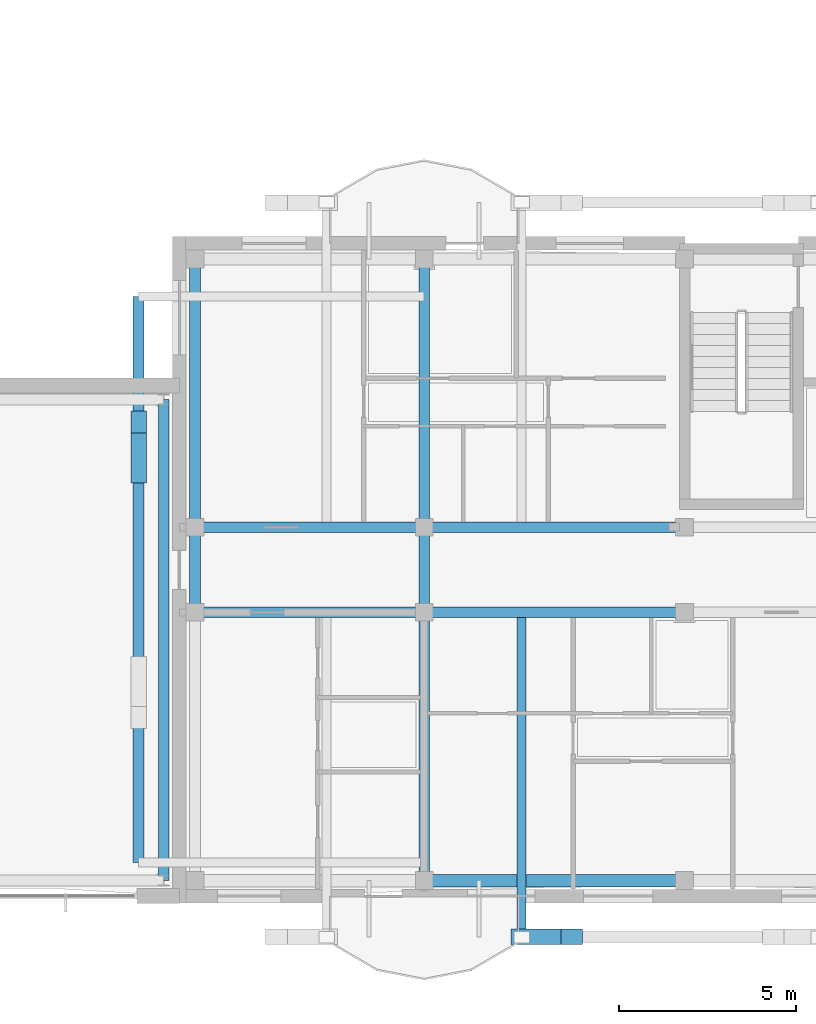
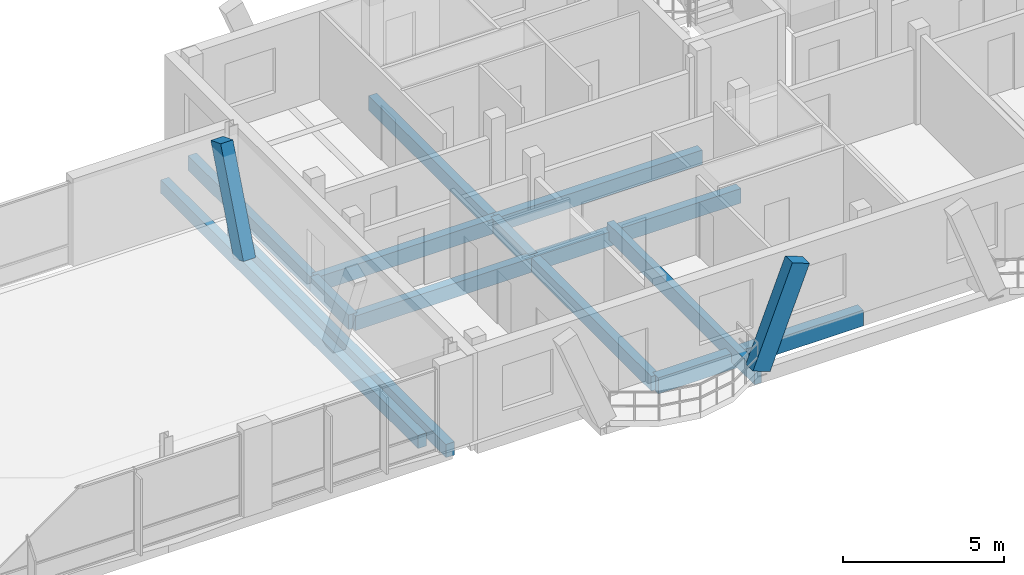
# One storey, part 58 of 189: 13 beams, 2 members.
"""IFC4 building model written with IfcOpenShell, lengths in metres."""

from ifc_helpers import new_model, si_unit, direction, frame, origin, origin_2d, place, context, subcontext, project, spatial, rectangle, extrude, material, material_profile, profile_set, type_object, element, save


model = new_model("IFC4")

# Units and contexts
model_context = context("Model", 3, precision=1e-05, world=origin(), true_north=direction((0.0, 1.0)))
body_context = subcontext(model_context, "Body", "Model", "MODEL_VIEW")
ifc_project = project(units=[si_unit("LENGTHUNIT", "METRE"), si_unit("AREAUNIT", "SQUARE_METRE"), si_unit("VOLUMEUNIT", "CUBIC_METRE"), si_unit("PLANEANGLEUNIT", "RADIAN"), si_unit("MASSUNIT", "GRAM", prefix="KILO")], contexts=[model_context])

# Site, building, storey
site_placement = place(None, origin())
site = spatial("IfcSite", under=ifc_project, at=site_placement, CompositionType="ELEMENT")
building_placement = place(site_placement, origin())
building = spatial("IfcBuilding", under=site, at=building_placement, Name="Zavelmont Quarter", CompositionType="ELEMENT")
storey_placement = place(building_placement, frame((0.0, 0.0, 4.39990234375)))
storey = spatial("IfcBuildingStorey", under=building, at=storey_placement, Name="L01", CompositionType="ELEMENT", Elevation=4.39990234375)

# Beams
ifc_material_1 = material(Name="Concrete C35/45", Category="concrete")
ifc_material_profile_1 = material_profile(ifc_material_1, rectangle(XDim=0.35009765625, YDim=0.60009765625, at=origin_2d()), Name="RC350X600")
ifc_profile_set_1 = profile_set([ifc_material_profile_1], Name="Concrete C35/45")
beam_type_1 = type_object("IfcBeamType", Name="BM01", PredefinedType="SPANDREL", material=ifc_profile_set_1)
beam_1_placement = place(storey_placement, frame((119.699951171875, 0.43994140625, -0.579833984375), z_axis=(1.0, 0.0, 0.0), x_axis=(0.0, 1.0, 0.0)))
element("IfcBeam", 1, at=beam_1_placement, inside=storey, type_object=beam_type_1, Name="L01 beam BM01 18/A to 19/A", PredefinedType="SPANDREL", context=body_context, shape_type="SweptSolid", body=[
    extrude(rectangle(XDim=0.35009765625, YDim=0.60009765625, at=origin_2d()), origin(), (0.0, 0.0, 1.0), 7.340087890625),
])
ifc_material_profile_2 = material_profile(ifc_material_1, rectangle(XDim=0.300048828125, YDim=0.550048828125, at=origin_2d()), Name="RC300X550")
ifc_profile_set_2 = profile_set([ifc_material_profile_2], Name="Concrete C35/45")
beam_type_2 = type_object("IfcBeamType", Name="BM02", PredefinedType="SPANDREL", material=ifc_profile_set_2)
beam_2_placement = place(storey_placement, frame((113.239990234375, 8.0, -0.554931640625), z_axis=(1.0, 0.0, 0.0), x_axis=(0.0, 1.0, 0.0)))
element("IfcBeam", 2, at=beam_2_placement, inside=storey, type_object=beam_type_2, Name="L01 beam BM02 17/B to 18/B", PredefinedType="SPANDREL", context=body_context, shape_type="SweptSolid", body=[
    extrude(rectangle(XDim=0.300048828125, YDim=0.550048828125, at=origin_2d()), origin(), (0.0, 0.0, 1.0), 6.4599609375),
])
beam_3_placement = place(storey_placement, frame((119.699951171875, 8.0, -0.554931640625), z_axis=(1.0, 0.0, 0.0), x_axis=(0.0, 1.0, 0.0)))
element("IfcBeam", 3, at=beam_3_placement, inside=storey, type_object=beam_type_2, Name="L01 beam BM02 18/B to 19/B", PredefinedType="SPANDREL", context=body_context, shape_type="SweptSolid", body=[
    extrude(rectangle(XDim=0.300048828125, YDim=0.550048828125, at=origin_2d()), origin(), (0.0, 0.0, 1.0), 7.340087890625),
])
beam_4_placement = place(storey_placement, frame((113.239990234375, 10.39990234375, -0.554931640625), z_axis=(1.0, 0.0, 0.0), x_axis=(0.0, 1.0, 0.0)))
element("IfcBeam", 4, at=beam_4_placement, inside=storey, type_object=beam_type_2, Name="L01 beam BM02 17/C to 18/C", PredefinedType="SPANDREL", context=body_context, shape_type="SweptSolid", body=[
    extrude(rectangle(XDim=0.300048828125, YDim=0.550048828125, at=origin_2d()), origin(), (0.0, 0.0, 1.0), 6.4599609375),
])
beam_5_placement = place(storey_placement, frame((119.699951171875, 10.39990234375, -0.554931640625), z_axis=(1.0, 0.0, 0.0), x_axis=(0.0, 1.0, 0.0)))
element("IfcBeam", 5, at=beam_5_placement, inside=storey, type_object=beam_type_2, Name="L01 beam BM02 18/C to 19/C", PredefinedType="SPANDREL", context=body_context, shape_type="SweptSolid", body=[
    extrude(rectangle(XDim=0.300048828125, YDim=0.550048828125, at=origin_2d()), origin(), (0.0, 0.0, 1.0), 7.340087890625),
])
beam_6_placement = place(storey_placement, frame((113.239990234375, 8.0, -0.554931640625), z_axis=(0.0, 1.0, 0.0), x_axis=(-1.0, 0.0, 0.0)))
element("IfcBeam", 6, at=beam_6_placement, inside=storey, type_object=beam_type_2, Name="L01 beam BM02 17/B to 17/C", PredefinedType="SPANDREL", context=body_context, shape_type="SweptSolid", body=[
    extrude(rectangle(XDim=0.300048828125, YDim=0.550048828125, at=origin_2d()), origin(), (0.0, 0.0, 1.0), 2.39990234375),
])
for number, where, z_axis, x_axis, name in (
    (7, (113.239990234375, 10.39990234375, -0.554931640625), (0.0, 1.0, 0.0), (-1.0, 0.0, 0.0), "L01 beam BM02 17/C to 17/D"),
    (8, (119.699951171875, 0.43994140625, -0.554931640625), (0.0, 1.0, 0.0), (-1.0, 0.0, 0.0), "L01 beam BM02 18/A to 18/B"),
):
    element("IfcBeam", number, at=place(storey_placement, frame(where, z_axis=z_axis, x_axis=x_axis)), inside=storey, type_object=beam_type_2, Name=name, PredefinedType="SPANDREL", context=body_context, shape_type="SweptSolid", body=[
        extrude(rectangle(XDim=0.300048828125, YDim=0.550048828125, at=origin_2d()), origin(), (0.0, 0.0, 1.0), 7.56005859375),
    ])
beam_7_placement = place(storey_placement, frame((119.699951171875, 8.0, -0.554931640625), z_axis=(0.0, 1.0, 0.0), x_axis=(-1.0, 0.0, 0.0)))
element("IfcBeam", 9, at=beam_7_placement, inside=storey, type_object=beam_type_2, Name="L01 beam BM02 18/B to 18/C", PredefinedType="SPANDREL", context=body_context, shape_type="SweptSolid", body=[
    extrude(rectangle(XDim=0.300048828125, YDim=0.550048828125, at=origin_2d()), origin(), (0.0, 0.0, 1.0), 2.39990234375),
])
beam_8_placement = place(storey_placement, frame((119.699951171875, 10.39990234375, -0.554931640625), z_axis=(0.0, 1.0, 0.0), x_axis=(-1.0, 0.0, 0.0)))
element("IfcBeam", 10, at=beam_8_placement, inside=storey, type_object=beam_type_2, Name="L01 beam BM02 18/C to 18/D", PredefinedType="SPANDREL", context=body_context, shape_type="SweptSolid", body=[
    extrude(rectangle(XDim=0.300048828125, YDim=0.550048828125, at=origin_2d()), origin(), (0.0, 0.0, 1.0), 7.56005859375),
])
ifc_material_profile_3 = material_profile(ifc_material_1, rectangle(XDim=0.300048828125, YDim=0.5, at=origin_2d()), Name="RC300X500")
ifc_profile_set_3 = profile_set([ifc_material_profile_3], Name="Concrete C35/45")
beam_type_3 = type_object("IfcBeamType", Name="BM03", PredefinedType="BEAM", material=ifc_profile_set_3)
beam_9_placement = place(storey_placement, frame((112.360107421875, 0.43994140625, -0.52978515625), z_axis=(0.0, 1.0, 0.0), x_axis=(-1.0, 0.0, 0.0)))
element("IfcBeam", 11, at=beam_9_placement, inside=storey, type_object=beam_type_3, Name="L01 beam BM03 17/A to 17/C", PredefinedType="BEAM", context=body_context, shape_type="SweptSolid", body=[
    extrude(rectangle(XDim=0.300048828125, YDim=0.5, at=origin_2d()), origin(), (0.0, 0.0, 1.0), 13.56005859375),
])
beam_10_placement = place(storey_placement, frame((111.64990234375, 0.949951171875, -0.25), z_axis=(0.0, 1.0, 0.0), x_axis=(-1.0, 0.0, 0.0)))
element("IfcBeam", 12, at=beam_10_placement, inside=storey, type_object=beam_type_3, Name="L01 beam BM03 17/A to 17/D", PredefinedType="BEAM", context=body_context, shape_type="SweptSolid", body=[
    extrude(rectangle(XDim=0.300048828125, YDim=0.5, at=origin_2d()), origin(), (0.0, 0.0, 1.0), 15.949951171875),
])
ifc_material_2 = material(Name="Concrete C40/50", Category="concrete")
ifc_material_profile_4 = material_profile(ifc_material_2, rectangle(XDim=0.25, YDim=0.60009765625, at=origin_2d()), Name="RC250X600")
ifc_profile_set_4 = profile_set([ifc_material_profile_4], Name="Concrete C40/50")
beam_type_4 = type_object("IfcBeamType", Name="BM18", PredefinedType="BEAM", material=ifc_profile_set_4)
beam_11_placement = place(storey_placement, frame((122.449951171875, 8.0, -0.2998046875), z_axis=(0.0, -1.0, 0.0), x_axis=(1.0, 0.0, 0.0)))
element("IfcBeam", 13, at=beam_11_placement, inside=storey, type_object=beam_type_4, Name="L01 beam BM18 18/B to 18/A", PredefinedType="BEAM", context=body_context, shape_type="SweptSolid", body=[
    extrude(rectangle(XDim=0.25, YDim=0.60009765625, at=origin_2d()), origin(), (0.0, 0.0, 1.0), 9.14990234375),
])

# Members
ifc_material_3 = material(Name="White architectural precast concrete C40/50", Category="concrete")
ifc_material_profile_5 = material_profile(ifc_material_3, rectangle(XDim=0.43994140625, YDim=0.659912109375, at=origin_2d()), Name="PCR320X480")
ifc_profile_set_5 = profile_set([ifc_material_profile_5], Name="White architectural precast concrete C40/50")
member_type = type_object("IfcMemberType", Name="VR01M", PredefinedType="CHORD", material=ifc_profile_set_5)
for number, where, z_axis, x_axis, name in (
    (14, (122.449951171875, -1.14990234375, 0.0), (0.365156192686, 0.0, 0.930946268559), (0.0, 1.0, 0.0), "L01 member VR01M 18/A to 19/A"),
    (15, (111.64990234375, 11.949951171875, 0.0), (0.0, 0.365156192686, 0.930946268559), (-1.0, 0.0, 0.0), "L01 member VR01M 17/C to 17/C"),
):
    element("IfcMember", number, at=place(storey_placement, frame(where, z_axis=z_axis, x_axis=x_axis)), inside=storey, type_object=member_type, Name=name, PredefinedType="CHORD", context=body_context, shape_type="SweptSolid", body=[
        extrude(rectangle(XDim=0.43994140625, YDim=0.659912109375, at=origin_2d()), origin(), (0.0, 0.0, 1.0), 3.8671875),
    ])

save(model, "model.ifc")
